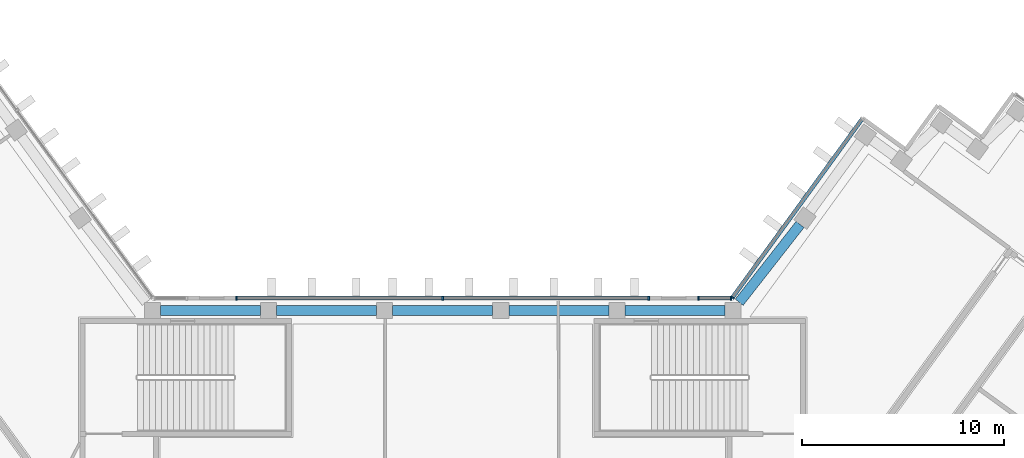
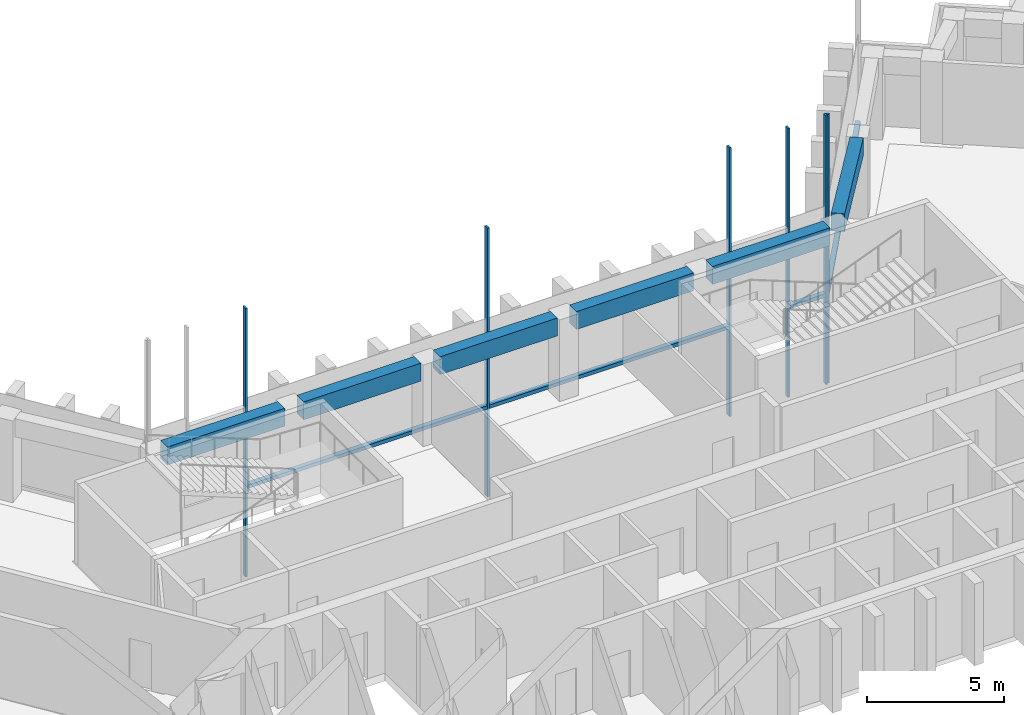
# One storey, part 3 of 12: 10 members, 6 beams, 3 elements without a shape of their own.
"""IFC4 building model written with IfcOpenShell, lengths in metres."""

from ifc_helpers import new_model, si_unit, direction, frame, origin, origin_2d, place, context, subcontext, project, spatial, rectangle, extrude, material, material_profile, profile_set, type_object, element, aggregate, save


model = new_model("IFC4")

# Units and contexts
model_context = context("Model", 3, precision=1e-05, world=origin(), true_north=direction((0.0, 1.0)))
body_context = subcontext(model_context, "Body", "Model", "MODEL_VIEW")
ifc_project = project(units=[si_unit("LENGTHUNIT", "METRE"), si_unit("AREAUNIT", "SQUARE_METRE"), si_unit("VOLUMEUNIT", "CUBIC_METRE"), si_unit("PLANEANGLEUNIT", "RADIAN"), si_unit("MASSUNIT", "GRAM", prefix="KILO")], contexts=[model_context])

# Site, building, storey
site_placement = place(None, origin())
site = spatial("IfcSite", under=ifc_project, at=site_placement, CompositionType="ELEMENT")
building_placement = place(site_placement, origin())
building = spatial("IfcBuilding", under=site, at=building_placement, Name="Quipu Civic Tower", CompositionType="ELEMENT")
storey_placement = place(building_placement, frame((0.0, 0.0, 210.0)))
storey = spatial("IfcBuildingStorey", under=building, at=storey_placement, Name="L49", CompositionType="ELEMENT", Elevation=210.0)

# Curtain wall, member
ifc_material_1 = material(Name="Insulated glass unit", Category="glass")
curtain_wall_type = type_object("IfcCurtainWallType", Name="Office curtain wall CW1", PredefinedType="NOTDEFINED", material=ifc_material_1)
curtain_wall_1_placement = place(storey_placement, origin())
curtain_wall_1 = element("IfcCurtainWall", 1, at=curtain_wall_1_placement, inside=storey, type_object=curtain_wall_type, Name="Office curtain wall CW1 L48 run 33", PredefinedType="NOTDEFINED")
ifc_material_2 = material(Name="Anodised aluminium", Category="aluminium")
ifc_material_profile_1 = material_profile(ifc_material_2, rectangle(XDim=0.199951171875, YDim=0.080078125, at=origin_2d()), Name="RECT 200x80")
ifc_profile_set_1 = profile_set([ifc_material_profile_1], Name="Anodised aluminium")
member_type_1 = type_object("IfcMemberType", Name="Mullion CW1", PredefinedType="MULLION", material=ifc_profile_set_1)
member_1_placement = place(storey_placement, frame((14.36767578125, 11.13232421875, -3.919921875), z_axis=(0.0, 0.0, 1.0), x_axis=(0.809015163947, -0.587787771652, 0.0)))
member_1 = element("IfcMember", 2, at=member_1_placement, type_object=member_type_1, Name="CW1 mullion 2", PredefinedType="MULLION", context=body_context, shape_type="SweptSolid", body=[
    extrude(rectangle(XDim=0.199951171875, YDim=0.080078125, at=origin_2d()), origin(), (0.0, 0.0, 1.0), 12.0),
])

# Curtain wall, members
curtain_wall_2_placement = place(storey_placement, origin())
curtain_wall_2 = element("IfcCurtainWall", 3, at=curtain_wall_2_placement, inside=storey, type_object=curtain_wall_type, Name="Office curtain wall CW1 L48 run 34", PredefinedType="NOTDEFINED")
member_2_placement = place(storey_placement, frame((14.30419921875, 11.10009765625, -3.919921875), z_axis=(0.0, 0.0, 1.0), x_axis=(0.0, -1.0, 0.0)))
member_2 = element("IfcMember", 4, at=member_2_placement, type_object=member_type_1, Name="CW1 mullion 1", PredefinedType="MULLION", context=body_context, shape_type="SweptSolid", body=[
    extrude(rectangle(XDim=0.199951171875, YDim=0.080078125, at=origin_2d()), origin(), (0.0, 0.0, 1.0), 12.0),
])
member_3_placement = place(storey_placement, frame((12.695068359375, 11.10009765625, -3.919921875), z_axis=(0.0, 0.0, 1.0), x_axis=(0.0, -1.0, 0.0)))
member_3 = element("IfcMember", 5, at=member_3_placement, type_object=member_type_1, Name="CW1 mullion 2", PredefinedType="MULLION", context=body_context, shape_type="SweptSolid", body=[
    extrude(rectangle(XDim=0.199951171875, YDim=0.080078125, at=origin_2d()), origin(), (0.0, 0.0, 1.0), 12.0),
])

curtain_wall_3_placement = place(storey_placement, origin())
curtain_wall_3 = element("IfcCurtainWall", 6, at=curtain_wall_3_placement, inside=storey, type_object=curtain_wall_type, Name="Office curtain wall CW1 L48 run 36", PredefinedType="NOTDEFINED")
member_4_placement = place(storey_placement, frame((10.223388671875, 11.10009765625, -3.919921875), z_axis=(0.0, 0.0, 1.0), x_axis=(0.0, -1.0, 0.0)))
member_4 = element("IfcMember", 7, at=member_4_placement, type_object=member_type_1, Name="CW1 mullion 1", PredefinedType="MULLION", context=body_context, shape_type="SweptSolid", body=[
    extrude(rectangle(XDim=0.199951171875, YDim=0.080078125, at=origin_2d()), origin(), (0.0, 0.0, 1.0), 12.0),
])
member_5_placement = place(storey_placement, frame((0.0, 11.10009765625, -3.919921875), z_axis=(0.0, 0.0, 1.0), x_axis=(0.0, -1.0, 0.0)))
member_5 = element("IfcMember", 8, at=member_5_placement, type_object=member_type_1, Name="CW1 mullion 2", PredefinedType="MULLION", context=body_context, shape_type="SweptSolid", body=[
    extrude(rectangle(XDim=0.199951171875, YDim=0.080078125, at=origin_2d()), origin(), (0.0, 0.0, 1.0), 12.0),
])
member_6_placement = place(storey_placement, frame((-10.223388671875, 11.10009765625, -3.919921875), z_axis=(0.0, 0.0, 1.0), x_axis=(0.0, -1.0, 0.0)))
member_6 = element("IfcMember", 9, at=member_6_placement, type_object=member_type_1, Name="CW1 mullion 3", PredefinedType="MULLION", context=body_context, shape_type="SweptSolid", body=[
    extrude(rectangle(XDim=0.199951171875, YDim=0.080078125, at=origin_2d()), origin(), (0.0, 0.0, 1.0), 12.0),
])

# Beams
ifc_material_3 = material(Name="Concrete C50/60", Category="concrete")
ifc_material_profile_2 = material_profile(ifc_material_3, rectangle(XDim=0.5, YDim=0.800048828125, at=origin_2d()), Name="RC500x800")
ifc_profile_set_2 = profile_set([ifc_material_profile_2], Name="Concrete C50/60")
beam_type = type_object("IfcBeamType", Name="Spandrel beam RC 500x800 C50/60", PredefinedType="SPANDREL", material=ifc_profile_set_2)
beam_placement = place(storey_placement, frame((17.72705078125, 14.759765625, 3.25), z_axis=(-0.616090612932, -0.787675286306, 0.0), x_axis=(0.787675286306, -0.616090612932, 0.0)))
element("IfcBeam", 10, at=beam_placement, inside=storey, type_object=beam_type, Name="Spandrel beam L49 E-IN-01 to J-Ei.0", PredefinedType="SPANDREL", context=body_context, shape_type="SweptSolid", body=[
    extrude(rectangle(XDim=0.5, YDim=0.800048828125, at=origin_2d()), origin(), (0.0, 0.0, 1.0), 4.900390625),
])
for number, where, z_axis, x_axis, name in (
    (11, (13.9951171875, 10.5, 3.25), (-1.0, 0.0, 0.0), (0.0, -1.0, 0.0), "Spandrel beam L49 J-Ei.0 to FRONT-01"),
    (12, (8.237060546875, 10.5, 3.25), (-1.0, 0.0, 0.0), (0.0, -1.0, 0.0), "Spandrel beam L49 FRONT-01 to FRONT-02"),
    (13, (2.47900390625, 10.5, 3.25), (-1.0, 0.0, 0.0), (0.0, -1.0, 0.0), "Spandrel beam L49 FRONT-02 to FRONT-03"),
    (14, (-3.279052734375, 10.5, 3.25), (-1.0, 0.0, 0.0), (0.0, -1.0, 0.0), "Spandrel beam L49 FRONT-03 to FRONT-04"),
    (15, (-9.037109375, 10.5, 3.25), (-1.0, 0.0, 0.0), (0.0, -1.0, 0.0), "Spandrel beam L49 FRONT-04 to J-Wi.0"),
):
    element("IfcBeam", number, at=place(storey_placement, frame(where, z_axis=z_axis, x_axis=x_axis)), inside=storey, type_object=beam_type, Name=name, PredefinedType="SPANDREL", context=body_context, shape_type="SweptSolid", body=[
        extrude(rectangle(XDim=0.5, YDim=0.800048828125, at=origin_2d()), origin(), (0.0, 0.0, 1.0), 4.9580078125),
    ])

# Member
ifc_material_4 = material(Name="Anodised aluminium", Category="aluminium")
ifc_material_profile_3 = material_profile(ifc_material_4, rectangle(XDim=0.199951171875, YDim=0.159912109375, at=origin_2d()), Name="RECT 200x160")
ifc_profile_set_3 = profile_set([ifc_material_profile_3], Name="Anodised aluminium")
member_type_2 = type_object("IfcMemberType", Name="Transom CW1", PredefinedType="USERDEFINED", material=ifc_profile_set_3)
member_7_placement = place(storey_placement, frame((20.788818359375, 19.97021484375, 0.080078125), z_axis=(-0.587796859727, -0.809008560953, 0.0), x_axis=(0.809008560953, -0.587796859727, 0.0)))
member_7 = element("IfcMember", 16, at=member_7_placement, type_object=member_type_2, Name="CW1 transom 1.2", ObjectType="TRANSOM", PredefinedType="USERDEFINED", context=body_context, shape_type="SweptSolid", body=[
    extrude(rectangle(XDim=0.199951171875, YDim=0.159912109375, at=origin_2d()), origin(), (0.0, 0.0, 1.0), 10.88427734375),
])

aggregate(curtain_wall_1, [member_1, member_7])

member_8_placement = place(storey_placement, frame((14.26416015625, 11.10009765625, 0.080078125), z_axis=(-1.0, 0.0, 0.0), x_axis=(0.0, -1.0, 0.0)))
member_8 = element("IfcMember", 17, at=member_8_placement, type_object=member_type_2, Name="CW1 transom 1.2", ObjectType="TRANSOM", PredefinedType="USERDEFINED", context=body_context, shape_type="SweptSolid", body=[
    extrude(rectangle(XDim=0.199951171875, YDim=0.159912109375, at=origin_2d()), origin(), (0.0, 0.0, 1.0), 1.529052734375),
])

aggregate(curtain_wall_2, [member_2, member_3, member_8])

member_9_placement = place(storey_placement, frame((10.18359375, 11.10009765625, 0.080078125), z_axis=(-1.0, 0.0, 0.0), x_axis=(0.0, -1.0, 0.0)))
member_9 = element("IfcMember", 18, at=member_9_placement, type_object=member_type_2, Name="CW1 transom 1.2", ObjectType="TRANSOM", PredefinedType="USERDEFINED", context=body_context, shape_type="SweptSolid", body=[
    extrude(rectangle(XDim=0.199951171875, YDim=0.159912109375, at=origin_2d()), origin(), (0.0, 0.0, 1.0), 10.1435546875),
])

member_10_placement = place(storey_placement, frame((-0.0400390625, 11.10009765625, 0.080078125), z_axis=(-1.0, 0.0, 0.0), x_axis=(0.0, -1.0, 0.0)))
member_10 = element("IfcMember", 19, at=member_10_placement, type_object=member_type_2, Name="CW1 transom 2.2", ObjectType="TRANSOM", PredefinedType="USERDEFINED", context=body_context, shape_type="SweptSolid", body=[
    extrude(rectangle(XDim=0.199951171875, YDim=0.159912109375, at=origin_2d()), origin(), (0.0, 0.0, 1.0), 10.1435546875),
])

aggregate(curtain_wall_3, [member_4, member_5, member_6, member_9, member_10])

save(model, "model.ifc")
